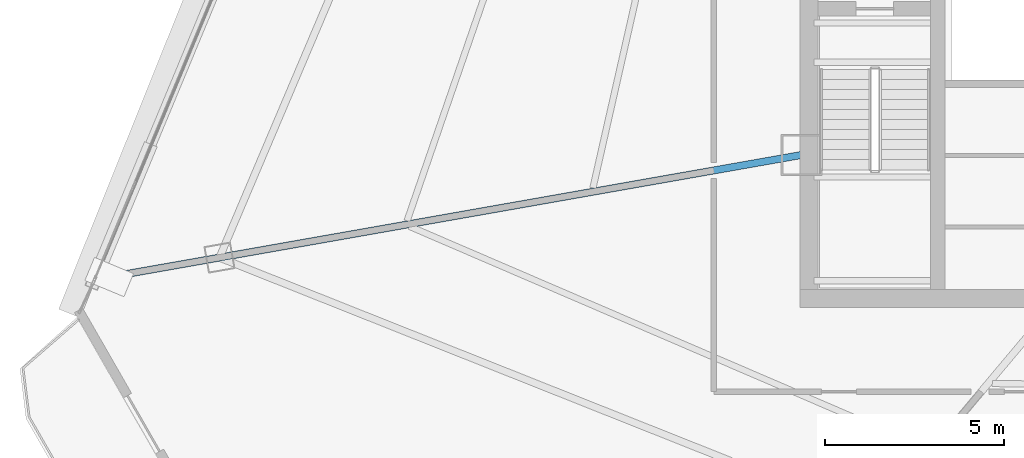
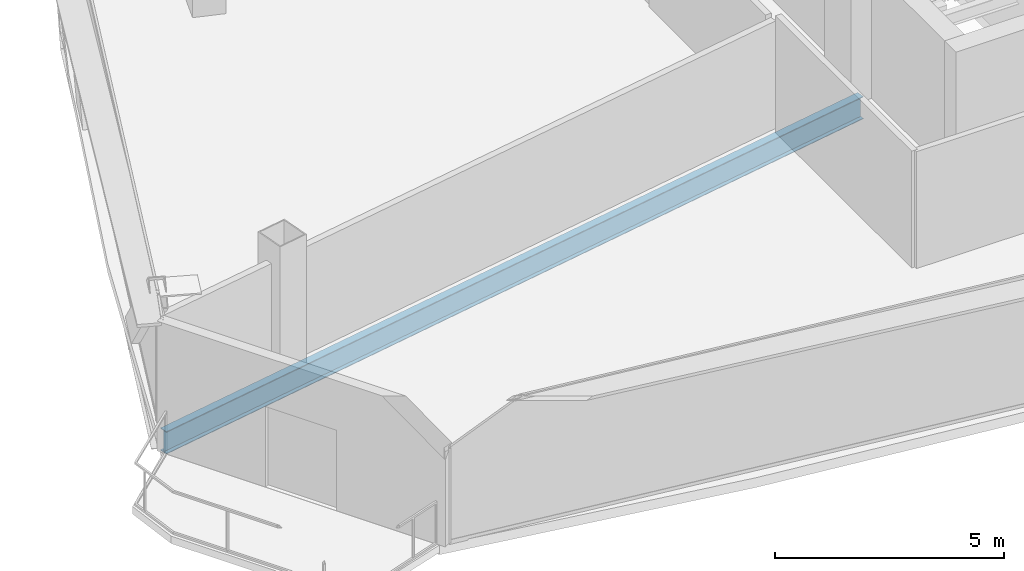
# One storey, part 5 of 39: 1 beam.
"""IFC4 building model written with IfcOpenShell, lengths in metres."""

from ifc_helpers import new_model, si_unit, direction, frame, origin, origin_2d, place, context, subcontext, project, spatial, i_section, extrude, source, transform, mapped, material, material_profile, profile_set, type_object, element, save


model = new_model("IFC4")

# Units and contexts
model_context = context("Model", 3, precision=1e-05, world=origin(), true_north=direction((0.0, 1.0)))
body_context = subcontext(model_context, "Body", "Model", "MODEL_VIEW")
ifc_project = project(units=[si_unit("LENGTHUNIT", "METRE"), si_unit("AREAUNIT", "SQUARE_METRE"), si_unit("VOLUMEUNIT", "CUBIC_METRE"), si_unit("PLANEANGLEUNIT", "RADIAN"), si_unit("MASSUNIT", "GRAM", prefix="KILO"), si_unit("THERMODYNAMICTEMPERATUREUNIT", "KELVIN"), si_unit("POWERUNIT", "WATT")], contexts=[model_context])

# Site, building, storey
site_placement = place(None, origin())
site = spatial("IfcSite", under=ifc_project, at=site_placement, CompositionType="ELEMENT")
building_placement = place(site_placement, origin())
building = spatial("IfcBuilding", under=site, at=building_placement, Name="Yunzhuo Pagoda Commons", CompositionType="ELEMENT")
storey_placement = place(building_placement, frame((0.0, 0.0, 285.02001953125)))
storey = spatial("IfcBuildingStorey", under=building, at=storey_placement, Name="L71", CompositionType="ELEMENT", Elevation=285.02001953125)

# Beam
ifc_material = material(Name="Structural steel Q355B", Category="steel")
ifc_material_profile = material_profile(ifc_material, i_section(OverallWidth=0.199951171875, OverallDepth=0.60009765625, WebThickness=0.010986328125, FlangeThickness=0.01708984375, at=origin_2d()), Name="Structural steel Q355B")
ifc_profile_set = profile_set([ifc_material_profile], Name="Structural steel Q355B")
beam_type = type_object("IfcBeamType", Name="B-RG3 Beam HN 600x200x11x17", PredefinedType="BEAM", material=ifc_profile_set)
shared_shape = source(origin(), body_context, "Body", "SweptSolid", [
    extrude(i_section(OverallWidth=0.199951171875, OverallDepth=0.60009765625, WebThickness=0.010986328125, FlangeThickness=0.01708984375, at=origin_2d()), origin(), (0.0, 0.0, 1.0), 19.89990234375),
])
beam_placement = place(storey_placement, frame((16.00244140625, 28.058349609375, -0.56005859375), z_axis=(0.984812199238, 0.173622959981, 0.0), x_axis=(-0.173622959981, 0.984812199238, 0.0)))
element("IfcBeam", 1, at=beam_placement, inside=storey, type_object=beam_type, Name="L71 radial floor girder F3C4", PredefinedType="BEAM", context=body_context, shape_type="MappedRepresentation", body=[
    mapped(shared_shape, transform((0.0, 0.0, 0.0), scale=1.0)),
])

save(model, "model.ifc")
